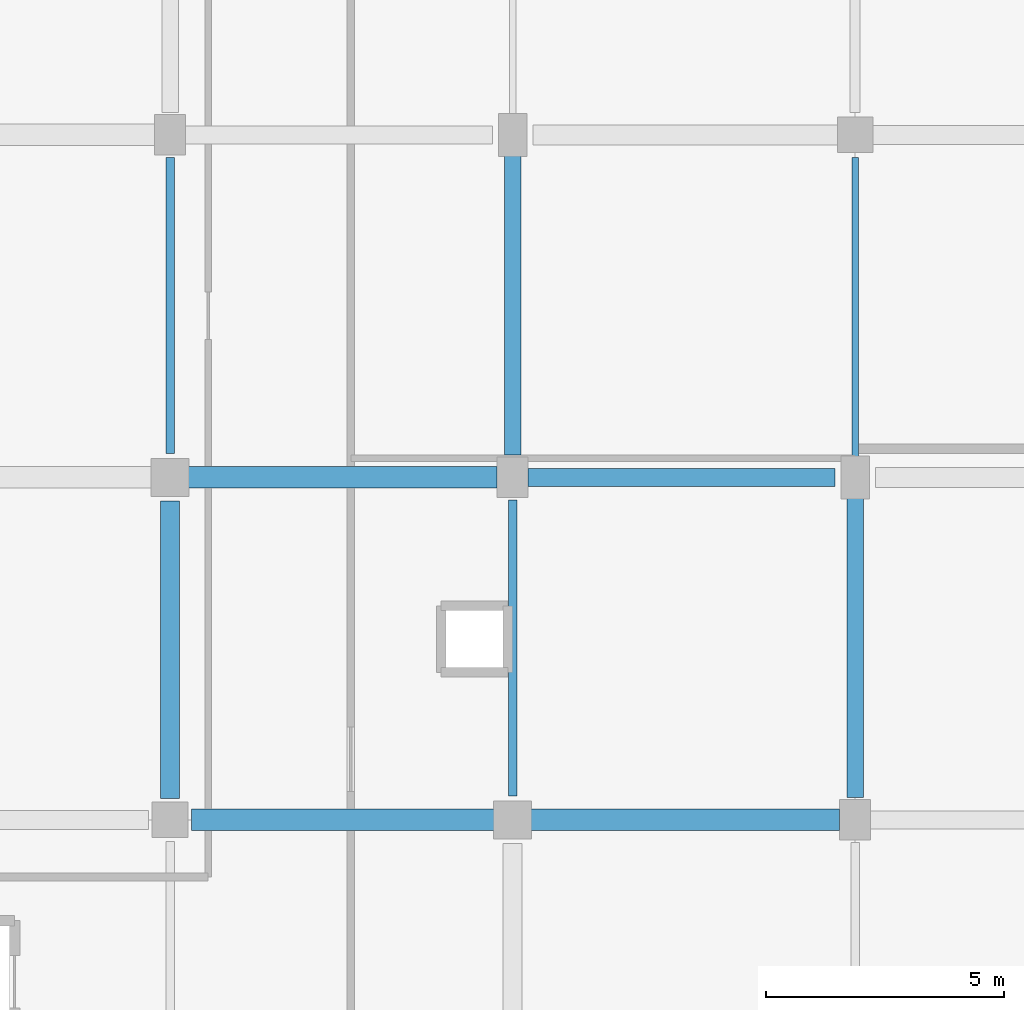
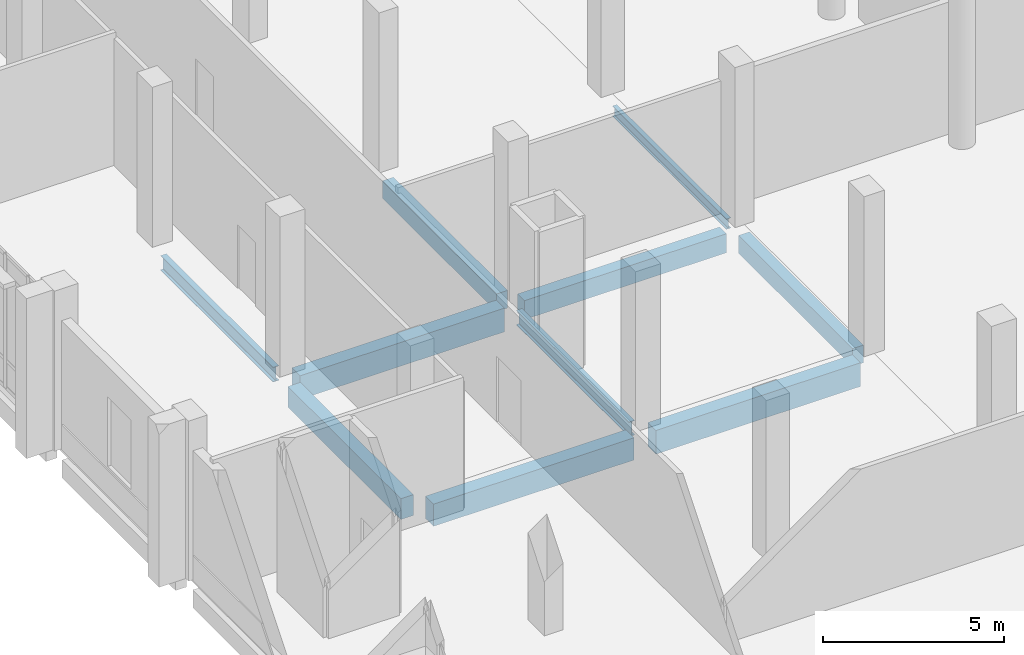
# One storey, part 22 of 110: 10 beams.
"""IFC4 building model written with IfcOpenShell, lengths in metres."""

from ifc_helpers import new_model, si_unit, direction, frame, origin, origin_2d, place, context, subcontext, project, spatial, rectangle, i_section, extrude, material, material_profile, profile_set, type_object, element, save


model = new_model("IFC4")

# Units and contexts
model_context = context("Model", 3, precision=1e-05, world=origin(), true_north=direction((0.0, 1.0)))
body_context = subcontext(model_context, "Body", "Model", "MODEL_VIEW")
ifc_project = project(units=[si_unit("LENGTHUNIT", "METRE"), si_unit("AREAUNIT", "SQUARE_METRE"), si_unit("VOLUMEUNIT", "CUBIC_METRE"), si_unit("PLANEANGLEUNIT", "RADIAN"), si_unit("MASSUNIT", "GRAM", prefix="KILO")], contexts=[model_context])

# Site, building, storey
site_placement = place(None, origin())
site = spatial("IfcSite", under=ifc_project, at=site_placement, CompositionType="ELEMENT")
building_placement = place(site_placement, origin())
building = spatial("IfcBuilding", under=site, at=building_placement, Name="Kalluvel Institute of Natural Sciences", CompositionType="ELEMENT")
storey_placement = place(building_placement, origin())
storey = spatial("IfcBuildingStorey", under=building, at=storey_placement, Name="L00", CompositionType="ELEMENT", Elevation=0.0)

# Beams
ifc_material_1 = material(Name="Steel E350 Grade 350", Category="steel")
ifc_material_profile_1 = material_profile(ifc_material_1, i_section(OverallWidth=0.139892578125, OverallDepth=0.35009765625, WebThickness=0.008056640625, FlangeThickness=0.01416015625, FilletRadius=0.013916015625, at=origin_2d()), Name="ISMB 350")
ifc_profile_set_1 = profile_set([ifc_material_profile_1], Name="Steel E350 Grade 350")
beam_type_1 = type_object("IfcBeamType", Name="BM-ISMB350", PredefinedType="BEAM", material=ifc_profile_set_1)
beam_1_placement = place(storey_placement, frame((35.60009765625, 72.02490234375, -0.4951171875), z_axis=(0.0, 1.0, 0.0), x_axis=(-1.0, 0.0, 0.0)))
element("IfcBeam", 1, at=beam_1_placement, inside=storey, type_object=beam_type_1, Name="L00 girder GIR-L00-NS-X356-Y716", PredefinedType="BEAM", context=body_context, shape_type="SweptSolid", body=[
    extrude(i_section(OverallWidth=0.139892578125, OverallDepth=0.35009765625, WebThickness=0.008056640625, FlangeThickness=0.01416015625, FilletRadius=0.013916015625, at=origin_2d()), origin(), (0.0, 0.0, 1.0), 6.300048828125),
])
ifc_material_profile_2 = material_profile(ifc_material_1, i_section(OverallWidth=0.179931640625, OverallDepth=0.5, WebThickness=0.01025390625, FlangeThickness=0.01708984375, FilletRadius=0.01708984375, at=origin_2d()), Name="ISMB 500")
ifc_profile_set_2 = profile_set([ifc_material_profile_2], Name="Steel E350 Grade 350")
beam_type_2 = type_object("IfcBeamType", Name="BM-ISMB500", PredefinedType="BEAM", material=ifc_profile_set_2)
beam_2_placement = place(storey_placement, frame((21.199951171875, 72.10009765625, -0.570068359375), z_axis=(0.0, 1.0, 0.0), x_axis=(-1.0, 0.0, 0.0)))
element("IfcBeam", 2, at=beam_2_placement, inside=storey, type_object=beam_type_2, Name="L00 girder GIR-L00-NS-X212-Y716", PredefinedType="BEAM", context=body_context, shape_type="SweptSolid", body=[
    extrude(i_section(OverallWidth=0.179931640625, OverallDepth=0.5, WebThickness=0.01025390625, FlangeThickness=0.01708984375, FilletRadius=0.01708984375, at=origin_2d()), origin(), (0.0, 0.0, 1.0), 6.224853515625),
])
beam_3_placement = place(storey_placement, frame((28.39990234375, 64.89990234375, -0.570068359375), z_axis=(0.0, 1.0, 0.0), x_axis=(-1.0, 0.0, 0.0)))
element("IfcBeam", 3, at=beam_3_placement, inside=storey, type_object=beam_type_2, Name="L00 girder GIR-L00-NS-X284-Y644", PredefinedType="BEAM", context=body_context, shape_type="SweptSolid", body=[
    extrude(i_section(OverallWidth=0.179931640625, OverallDepth=0.5, WebThickness=0.01025390625, FlangeThickness=0.01708984375, FilletRadius=0.01708984375, at=origin_2d()), origin(), (0.0, 0.0, 1.0), 6.22509765625),
])
ifc_material_2 = material(Name="Concrete M40", Category="concrete")
ifc_material_profile_3 = material_profile(ifc_material_2, rectangle(XDim=0.35009765625, YDim=0.60009765625, at=origin_2d()), Name="RCB 350x600")
ifc_profile_set_3 = profile_set([ifc_material_profile_3], Name="Concrete M40")
beam_type_3 = type_object("IfcBeamType", Name="BM-RC350x600", PredefinedType="BEAM", material=ifc_profile_set_3)
for number, where, z_axis, x_axis, name in (
    (4, (28.39990234375, 72.074951171875, -0.6201171875), (0.0, 1.0, 0.0), (-1.0, 0.0, 0.0), "L00 girder GIR-L00-NS-X284-Y716"),
    (5, (35.60009765625, 64.875, -0.6201171875), (0.0, 1.0, 0.0), (-1.0, 0.0, 0.0), "L00 girder GIR-L00-NS-X356-Y644"),
):
    element("IfcBeam", number, at=place(storey_placement, frame(where, z_axis=z_axis, x_axis=x_axis)), inside=storey, type_object=beam_type_3, Name=name, PredefinedType="BEAM", context=body_context, shape_type="SweptSolid", body=[
        extrude(rectangle(XDim=0.35009765625, YDim=0.60009765625, at=origin_2d()), origin(), (0.0, 0.0, 1.0), 6.300048828125),
    ])
ifc_material_profile_4 = material_profile(ifc_material_2, rectangle(XDim=0.3798828125, YDim=0.639892578125, at=origin_2d()), Name="RCB 380x640")
ifc_profile_set_4 = profile_set([ifc_material_profile_4], Name="Concrete M40")
beam_type_4 = type_object("IfcBeamType", Name="BM-RC380x640", PredefinedType="BEAM", material=ifc_profile_set_4)
beam_4_placement = place(storey_placement, frame((28.72509765625, 71.60009765625, -0.639892578125), z_axis=(1.0, 0.0, 0.0), x_axis=(0.0, 1.0, 0.0)))
element("IfcBeam", 6, at=beam_4_placement, inside=storey, type_object=beam_type_4, Name="L00 girder GIR-L00-EW-X284-Y716", PredefinedType="BEAM", context=body_context, shape_type="SweptSolid", body=[
    extrude(rectangle(XDim=0.3798828125, YDim=0.639892578125, at=origin_2d()), origin(), (0.0, 0.0, 1.0), 6.449951171875),
])
ifc_material_profile_5 = material_profile(ifc_material_2, rectangle(XDim=0.39990234375, YDim=0.699951171875, at=origin_2d()), Name="RCB 400x700")
ifc_profile_set_5 = profile_set([ifc_material_profile_5], Name="Concrete M40")
beam_type_5 = type_object("IfcBeamType", Name="BM-RC400x700", PredefinedType="BEAM", material=ifc_profile_set_5)
beam_5_placement = place(storey_placement, frame((21.199951171875, 64.85009765625, -0.669921875), z_axis=(0.0, 1.0, 0.0), x_axis=(-1.0, 0.0, 0.0)))
element("IfcBeam", 7, at=beam_5_placement, inside=storey, type_object=beam_type_5, Name="L00 girder GIR-L00-NS-X212-Y644", PredefinedType="BEAM", context=body_context, shape_type="SweptSolid", body=[
    extrude(rectangle(XDim=0.39990234375, YDim=0.699951171875, at=origin_2d()), origin(), (0.0, 0.0, 1.0), 6.25),
])
ifc_material_profile_6 = material_profile(ifc_material_2, rectangle(XDim=0.449951171875, YDim=0.75, at=origin_2d()), Name="RCB 450x750")
ifc_profile_set_6 = profile_set([ifc_material_profile_6], Name="Concrete M40")
beam_type_6 = type_object("IfcBeamType", Name="BM-RC450x750", PredefinedType="BEAM", material=ifc_profile_set_6)
beam_6_placement = place(storey_placement, frame((21.64990234375, 64.39990234375, -0.695068359375), z_axis=(1.0, 0.0, 0.0), x_axis=(0.0, 1.0, 0.0)))
element("IfcBeam", 8, at=beam_6_placement, inside=storey, type_object=beam_type_6, Name="L00 girder GIR-L00-EW-X212-Y644", PredefinedType="BEAM", context=body_context, shape_type="SweptSolid", body=[
    extrude(rectangle(XDim=0.449951171875, YDim=0.75, at=origin_2d()), origin(), (0.0, 0.0, 1.0), 6.400146484375),
])
ifc_material_profile_7 = material_profile(ifc_material_2, rectangle(XDim=0.449951171875, YDim=0.800048828125, at=origin_2d()), Name="RCB 450x800")
ifc_profile_set_7 = profile_set([ifc_material_profile_7], Name="Concrete M40")
beam_type_7 = type_object("IfcBeamType", Name="BM-RC450x800", PredefinedType="BEAM", material=ifc_profile_set_7)
for number, where, z_axis, x_axis, name in (
    (9, (28.75, 64.39990234375, -0.719970703125), (1.0, 0.0, 0.0), (0.0, 1.0, 0.0), "L00 girder GIR-L00-EW-X284-Y644"),
    (10, (21.550048828125, 71.60009765625, -0.719970703125), (1.0, 0.0, 0.0), (0.0, 1.0, 0.0), "L00 girder GIR-L00-EW-X212-Y716"),
):
    element("IfcBeam", number, at=place(storey_placement, frame(where, z_axis=z_axis, x_axis=x_axis)), inside=storey, type_object=beam_type_7, Name=name, PredefinedType="BEAM", context=body_context, shape_type="SweptSolid", body=[
        extrude(rectangle(XDim=0.449951171875, YDim=0.800048828125, at=origin_2d()), origin(), (0.0, 0.0, 1.0), 6.52490234375),
    ])

save(model, "model.ifc")
